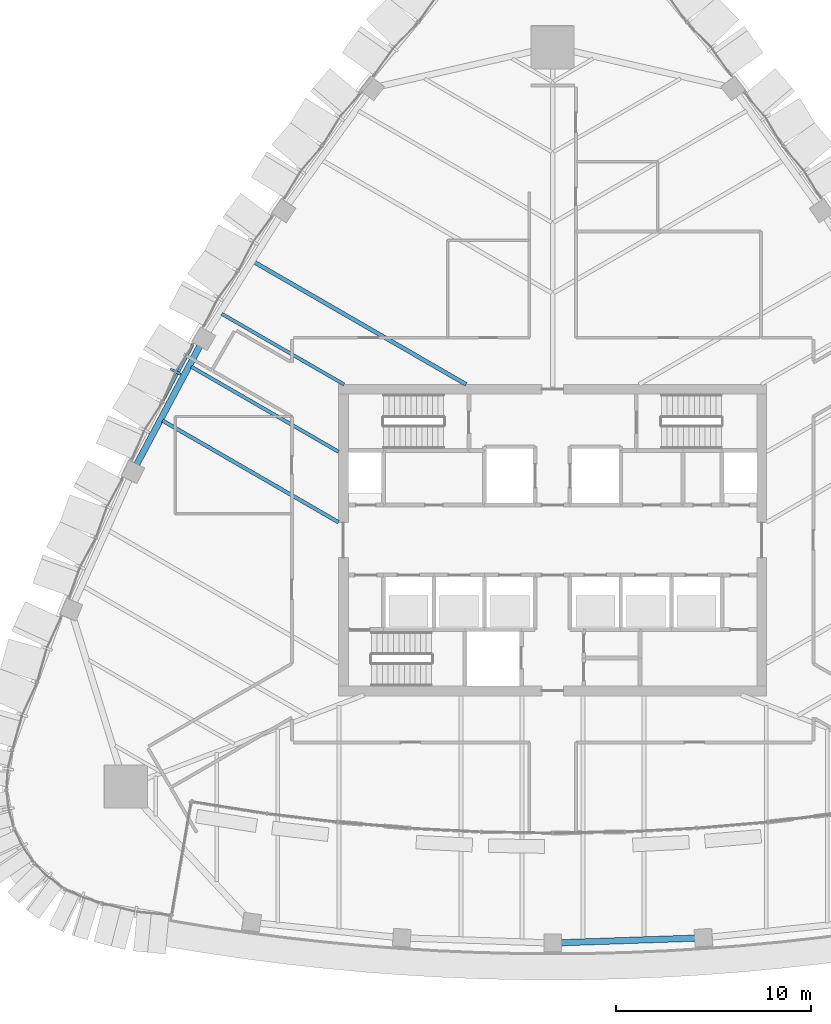
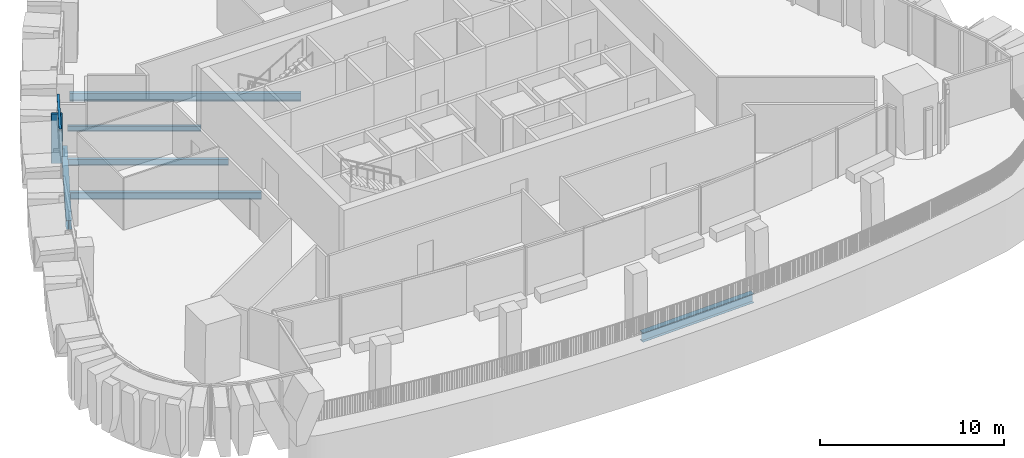
# One storey, part 4 of 22: 6 beams, 2 members, 1 element without a shape of its own.
"""IFC4 building model written with IfcOpenShell, lengths in metres."""

from ifc_helpers import new_model, si_unit, direction, frame, origin, origin_2d, place, context, subcontext, project, spatial, rectangle, i_section, extrude, material, layer, layer_set, material_profile, profile_set, type_object, element, aggregate, save


model = new_model("IFC4")

# Units and contexts
model_context = context("Model", 3, precision=1e-05, world=origin(), true_north=direction((0.0, 1.0)))
body_context = subcontext(model_context, "Body", "Model", "MODEL_VIEW")
ifc_project = project(units=[si_unit("LENGTHUNIT", "METRE"), si_unit("AREAUNIT", "SQUARE_METRE"), si_unit("VOLUMEUNIT", "CUBIC_METRE"), si_unit("PLANEANGLEUNIT", "RADIAN"), si_unit("MASSUNIT", "GRAM", prefix="KILO")], contexts=[model_context])

# Site, building, storey
site_placement = place(None, origin())
site = spatial("IfcSite", under=ifc_project, at=site_placement, CompositionType="ELEMENT")
building_placement = place(site_placement, origin())
building = spatial("IfcBuilding", under=site, at=building_placement, Name="Sierra Prisma Convention Tower", CompositionType="ELEMENT")
storey_placement = place(building_placement, frame((0.0, 0.0, 243.0)))
storey = spatial("IfcBuildingStorey", under=building, at=storey_placement, Name="L54", CompositionType="ELEMENT", Elevation=243.0)

# Curtain wall, members
ifc_material_1 = material(Name="Aluminium and glass curtain wall", Category="aluminium")
ifc_layer = layer(ifc_material_1, 0.179931640625)
ifc_layer_set = layer_set([ifc_layer], Name="CW-2 Faceted crystal curtain wall")
curtain_wall_type = type_object("IfcCurtainWallType", Name="CW-2 Faceted crystal curtain wall", PredefinedType="NOTDEFINED", material=ifc_layer_set)
curtain_wall_placement = place(storey_placement, origin())
curtain_wall = element("IfcCurtainWall", 1, at=curtain_wall_placement, inside=storey, type_object=curtain_wall_type, Name="CW-2 NW4 L54", PredefinedType="NOTDEFINED")
ifc_material_2 = material(Name="Aluminium 6063-T6 bronze anodised", Category="aluminium")
ifc_material_profile_1 = material_profile(ifc_material_2, rectangle(XDim=0.1201171875, YDim=0.60009765625, at=origin_2d()), Name="ALU RIDGE BLADE 120x600")
ifc_profile_set_1 = profile_set([ifc_material_profile_1], Name="Aluminium 6063-T6 bronze anodised")
member_type_1 = type_object("IfcMemberType", Name="CW hip bronze", PredefinedType="MULLION", material=ifc_profile_set_1)
member_1_placement = place(storey_placement, frame((-19.37841796875, 8.659912109375, 0.0), z_axis=(0.0, 0.0, 1.0), x_axis=(-0.4701451722, -0.882589098651, 0.0)))
member_1 = element("IfcMember", 2, at=member_1_placement, type_object=member_type_1, Name="CW-2 ridge NW4.1", PredefinedType="MULLION", context=body_context, shape_type="SweptSolid", body=[
    extrude(rectangle(XDim=0.1201171875, YDim=0.60009765625, at=origin_2d()), origin(), (0.0, 0.0, 1.0), 3.280029296875),
])
ifc_material_3 = material(Name="Aluminium 6063-T6 bronze anodised", Category="aluminium")
ifc_material_profile_2 = material_profile(ifc_material_3, rectangle(XDim=0.139892578125, YDim=0.1201171875, at=origin_2d()), Name="ALU TRANSOM 120x140")
ifc_profile_set_2 = profile_set([ifc_material_profile_2], Name="Aluminium 6063-T6 bronze anodised")
member_type_2 = type_object("IfcMemberType", Name="CW transom bronze", PredefinedType="USERDEFINED", material=ifc_profile_set_2)
member_2_placement = place(storey_placement, frame((-18.479248046875, 10.06884765625, 3.340087890625), z_axis=(-0.470128059991, -0.882598213917, 0.0), x_axis=(0.882598213917, -0.470128059991, 0.0)))
member_2 = element("IfcMember", 3, at=member_2_placement, type_object=member_type_2, Name="CW-1 transom NW4.1", ObjectType="TRANSOM", PredefinedType="USERDEFINED", context=body_context, shape_type="SweptSolid", body=[
    extrude(rectangle(XDim=0.139892578125, YDim=0.1201171875, at=origin_2d()), origin(), (0.0, 0.0, 1.0), 3.332275390625),
])
aggregate(curtain_wall, [member_2, member_1])

# Beams
ifc_material_4 = material(Name="Steel ASTM A992 Gr 50", Category="steel")
ifc_material_profile_3 = material_profile(ifc_material_4, i_section(OverallWidth=0.172119140625, OverallDepth=0.35791015625, WebThickness=0.0078125, FlangeThickness=0.01318359375, at=origin_2d()), Name="W360x57")
ifc_profile_set_3 = profile_set([ifc_material_profile_3], Name="Steel ASTM A992 Gr 50")
beam_type_1 = type_object("IfcBeamType", Name="Floor joist W360x57", PredefinedType="JOIST", material=ifc_profile_set_3)
beam_1_placement = place(storey_placement, frame((-17.003662109375, 11.628173828125, -0.3291015625), z_axis=(0.866025344474, -0.500000102728, 0.0), x_axis=(0.500000102728, 0.866025344474, 0.0)))
element("IfcBeam", 4, at=beam_1_placement, inside=storey, type_object=beam_type_1, Name="Floor joist L54 NW07", PredefinedType="JOIST", context=body_context, shape_type="SweptSolid", body=[
    extrude(i_section(OverallWidth=0.172119140625, OverallDepth=0.35791015625, WebThickness=0.0078125, FlangeThickness=0.01318359375, at=origin_2d()), origin(), (0.0, 0.0, 1.0), 7.25634765625),
])
ifc_material_5 = material(Name="Steel ASTM A992 Gr 50", Category="steel")
ifc_material_profile_4 = material_profile(ifc_material_5, i_section(OverallWidth=0.177978515625, OverallDepth=0.406982421875, WebThickness=0.0078125, FlangeThickness=0.0126953125, at=origin_2d()), Name="W410x60")
ifc_profile_set_4 = profile_set([ifc_material_profile_4], Name="Steel ASTM A992 Gr 50")
beam_type_2 = type_object("IfcBeamType", Name="Floor joist W410x60", PredefinedType="JOIST", material=ifc_profile_set_4)
beam_2_placement = place(storey_placement, frame((-18.572021484375, 8.91162109375, -0.353515625), z_axis=(0.866019583181, -0.500010081445, 0.0), x_axis=(0.500010081445, 0.866019583181, 0.0)))
element("IfcBeam", 5, at=beam_2_placement, inside=storey, type_object=beam_type_2, Name="Floor joist L54 NW08", PredefinedType="JOIST", context=body_context, shape_type="SweptSolid", body=[
    extrude(i_section(OverallWidth=0.177978515625, OverallDepth=0.406982421875, WebThickness=0.0078125, FlangeThickness=0.0126953125, at=origin_2d()), origin(), (0.0, 0.0, 1.0), 8.743408203125),
])
ifc_material_6 = material(Name="Steel ASTM A992 Gr 50", Category="steel")
ifc_material_profile_5 = material_profile(ifc_material_6, i_section(OverallWidth=0.18994140625, OverallDepth=0.45703125, WebThickness=0.009033203125, FlangeThickness=0.014404296875, at=origin_2d()), Name="W460x74")
ifc_profile_set_5 = profile_set([ifc_material_profile_5], Name="Steel ASTM A992 Gr 50")
beam_type_3 = type_object("IfcBeamType", Name="Floor joist W460x74", PredefinedType="JOIST", material=ifc_profile_set_5)
beam_3_placement = place(storey_placement, frame((-20.047607421875, 6.141357421875, -0.37841796875), z_axis=(0.866025642855, -0.499999585918, 0.0), x_axis=(0.499999585918, 0.866025642855, 0.0)))
element("IfcBeam", 6, at=beam_3_placement, inside=storey, type_object=beam_type_3, Name="Floor joist L54 NW09", PredefinedType="JOIST", context=body_context, shape_type="SweptSolid", body=[
    extrude(i_section(OverallWidth=0.18994140625, OverallDepth=0.45703125, WebThickness=0.009033203125, FlangeThickness=0.014404296875, at=origin_2d()), origin(), (0.0, 0.0, 1.0), 10.447265625),
])
ifc_material_7 = material(Name="Steel ASTM A992 Gr 50", Category="steel")
ifc_material_profile_6 = material_profile(ifc_material_7, i_section(OverallWidth=0.208984375, OverallDepth=0.532958984375, WebThickness=0.01025390625, FlangeThickness=0.015625, at=origin_2d()), Name="W530x92")
ifc_profile_set_6 = profile_set([ifc_material_profile_6], Name="Steel ASTM A992 Gr 50")
beam_type_4 = type_object("IfcBeamType", Name="Floor joist W530x92", PredefinedType="JOIST", material=ifc_profile_set_6)
beam_4_placement = place(storey_placement, frame((-15.34228515625, 14.291015625, -0.41650390625), z_axis=(0.866023050015, -0.500004076825, 0.0), x_axis=(0.500004076825, 0.866023050015, 0.0)))
element("IfcBeam", 7, at=beam_4_placement, inside=storey, type_object=beam_type_4, Name="Floor joist L54 NW06", PredefinedType="JOIST", context=body_context, shape_type="SweptSolid", body=[
    extrude(i_section(OverallWidth=0.208984375, OverallDepth=0.532958984375, WebThickness=0.01025390625, FlangeThickness=0.015625, at=origin_2d()), origin(), (0.0, 0.0, 1.0), 12.58203125),
])
ifc_material_8 = material(Name="Steel ASTM A992 Gr 50", Category="steel")
ifc_material_profile_7 = material_profile(ifc_material_8, i_section(OverallWidth=0.324951171875, OverallDepth=0.615966796875, WebThickness=0.013916015625, FlangeThickness=0.021484375, at=origin_2d()), Name="W610x174")
ifc_profile_set_7 = profile_set([ifc_material_profile_7], Name="Steel ASTM A992 Gr 50")
beam_type_5 = type_object("IfcBeamType", Name="Spandrel beam W610x174", PredefinedType="BEAM", material=ifc_profile_set_7)
beam_5_placement = place(storey_placement, frame((0.330078125, -20.6943359375, -0.60791015625), z_axis=(0.999417334265, 0.034131978708, 0.0), x_axis=(-0.034131978708, 0.999417334265, 0.0)))
element("IfcBeam", 8, at=beam_5_placement, inside=storey, type_object=beam_type_5, Name="Spandrel L54-04", PredefinedType="BEAM", context=body_context, shape_type="SweptSolid", body=[
    extrude(i_section(OverallWidth=0.324951171875, OverallDepth=0.615966796875, WebThickness=0.013916015625, FlangeThickness=0.021484375, at=origin_2d()), origin(), (0.0, 0.0, 1.0), 7.102783203125),
])
beam_6_placement = place(storey_placement, frame((-18.0869140625, 10.0615234375, -0.4580078125), z_axis=(-0.470135038713, -0.882594496569, 0.0), x_axis=(0.882594496569, -0.470135038713, 0.0)))
element("IfcBeam", 9, at=beam_6_placement, inside=storey, type_object=beam_type_5, Name="Spandrel L54-16", PredefinedType="BEAM", context=body_context, shape_type="SweptSolid", body=[
    extrude(i_section(OverallWidth=0.324951171875, OverallDepth=0.615966796875, WebThickness=0.013916015625, FlangeThickness=0.021484375, at=origin_2d()), origin(), (0.0, 0.0, 1.0), 7.10302734375),
])

save(model, "model.ifc")
